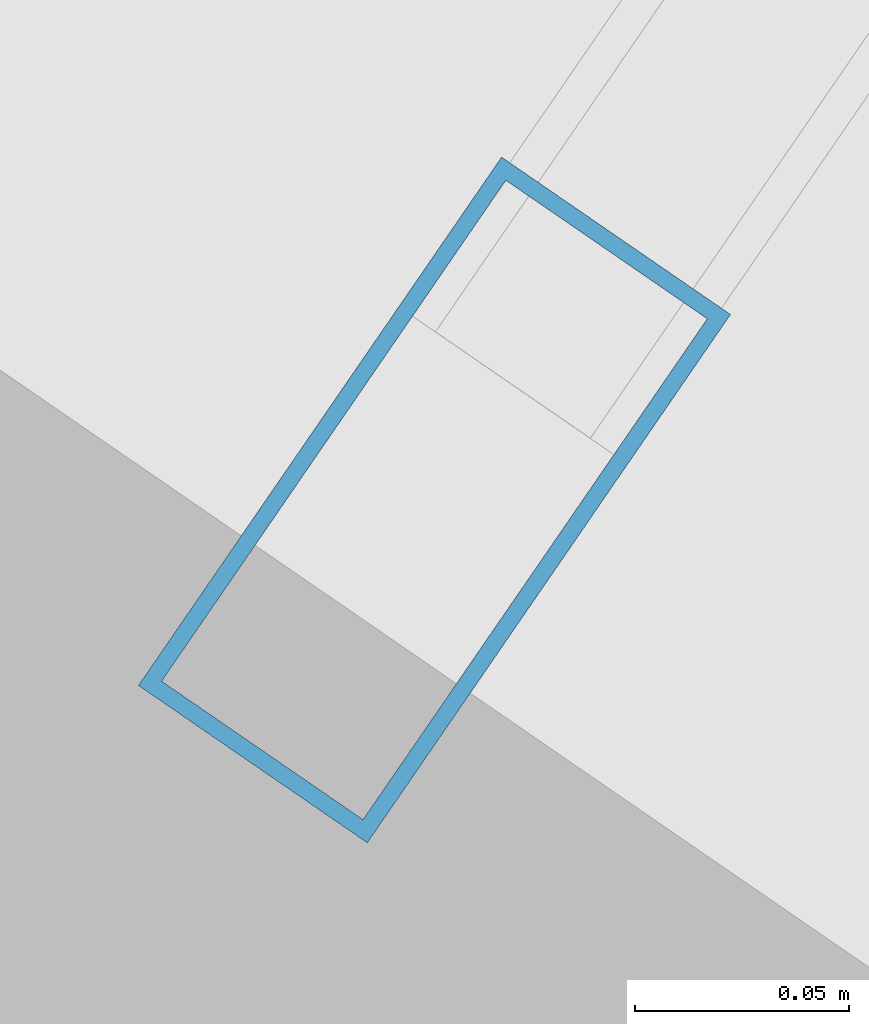
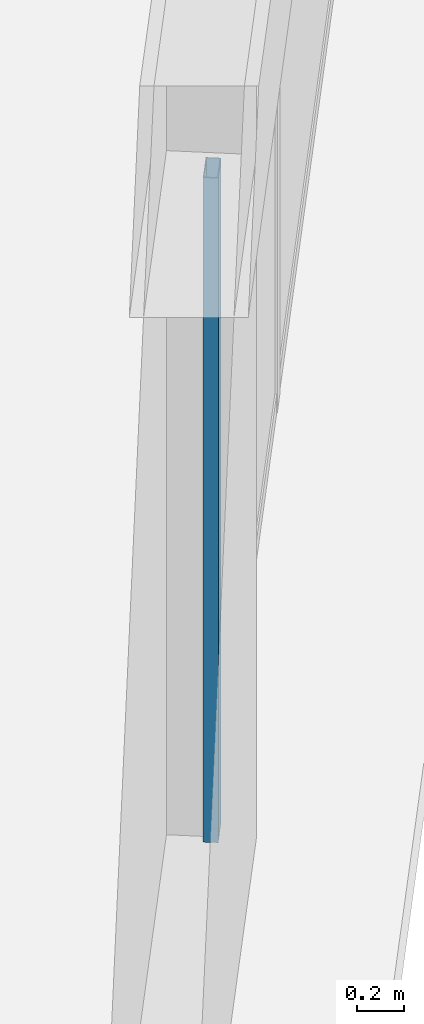
# One storey, part 8 of 35: 1 member, 1 element without a shape of its own.
"""IFC4 building model written with IfcOpenShell, lengths in metres."""

from ifc_helpers import new_model, si_unit, direction, frame, origin, origin_2d, place, context, subcontext, project, spatial, hollow_rectangle, extrude, source, transform, mapped, material, layer, layer_set, material_profile, profile_set, type_object, element, aggregate, save


model = new_model("IFC4")

# Units and contexts
model_context = context("Model", 3, precision=1e-05, world=origin(), true_north=direction((0.0, 1.0)))
body_context = subcontext(model_context, "Body", "Model", "MODEL_VIEW")
ifc_project = project(units=[si_unit("LENGTHUNIT", "METRE"), si_unit("AREAUNIT", "SQUARE_METRE"), si_unit("VOLUMEUNIT", "CUBIC_METRE"), si_unit("PLANEANGLEUNIT", "RADIAN"), si_unit("MASSUNIT", "GRAM", prefix="KILO")], contexts=[model_context])

# Site, building, storey
site_placement = place(None, origin())
site = spatial("IfcSite", under=ifc_project, at=site_placement, CompositionType="ELEMENT")
building_placement = place(site_placement, origin())
building = spatial("IfcBuilding", under=site, at=building_placement, Name="Liaohun Quay Tower", CompositionType="ELEMENT")
storey_placement = place(building_placement, frame((0.0, 0.0, 282.0)))
storey = spatial("IfcBuildingStorey", under=building, at=storey_placement, Name="L73", CompositionType="ELEMENT", Elevation=282.0)

# Curtain wall, member
ifc_material_1 = material(Name="Upper sky-lobby belvedere curtain wall")
ifc_layer = layer(ifc_material_1, 0.199951171875, Name="Upper sky-lobby belvedere curtain wall")
ifc_layer_set = layer_set([ifc_layer], Name="Upper sky-lobby belvedere curtain wall")
curtain_wall_type = type_object("IfcCurtainWallType", Name="CW-SKY-L73", PredefinedType="NOTDEFINED", material=ifc_layer_set)
curtain_wall_placement = place(storey_placement, origin())
curtain_wall = element("IfcCurtainWall", 1, at=curtain_wall_placement, inside=storey, type_object=curtain_wall_type, Name="L73 Panoramic Belvedere Curtain Wall 01", PredefinedType="NOTDEFINED")
ifc_material_2 = material(Name="Anodised aluminium 6063-T6", Category="aluminium")
ifc_material_profile = material_profile(ifc_material_2, hollow_rectangle(XDim=0.06494140625, YDim=0.14990234375, WallThickness=0.00390625, at=origin_2d()), Name="RHS150x65x4")
ifc_profile_set = profile_set([ifc_material_profile], Name="Anodised aluminium 6063-T6")
member_type = type_object("IfcMemberType", Name="MEM-CWM-SKY", PredefinedType="MULLION", material=ifc_profile_set)
shared_shape = source(origin(), body_context, "Body", "SweptSolid", [
    extrude(hollow_rectangle(XDim=0.06494140625, YDim=0.14990234375, WallThickness=0.00390625, at=origin_2d()), origin(), (0.0, 0.0, 1.0), 3.419921875),
])
member_placement = place(storey_placement, frame((69.95947265625, 28.247802734375, 0.0), z_axis=(0.0, 0.0, 1.0), x_axis=(-0.824105748577, 0.566435976225, 0.0)))
member = element("IfcMember", 2, at=member_placement, type_object=member_type, Name="CW5 mullion 1", PredefinedType="MULLION", context=body_context, shape_type="MappedRepresentation", body=[
    mapped(shared_shape, transform((0.0, 0.0, 0.0), x_axis=(1.0, 0.0, 0.0), y_axis=(0.0, 1.0, 0.0), z_axis=(0.0, 0.0, 1.0), scale=1.0)),
])
aggregate(curtain_wall, [member])

save(model, "model.ifc")
